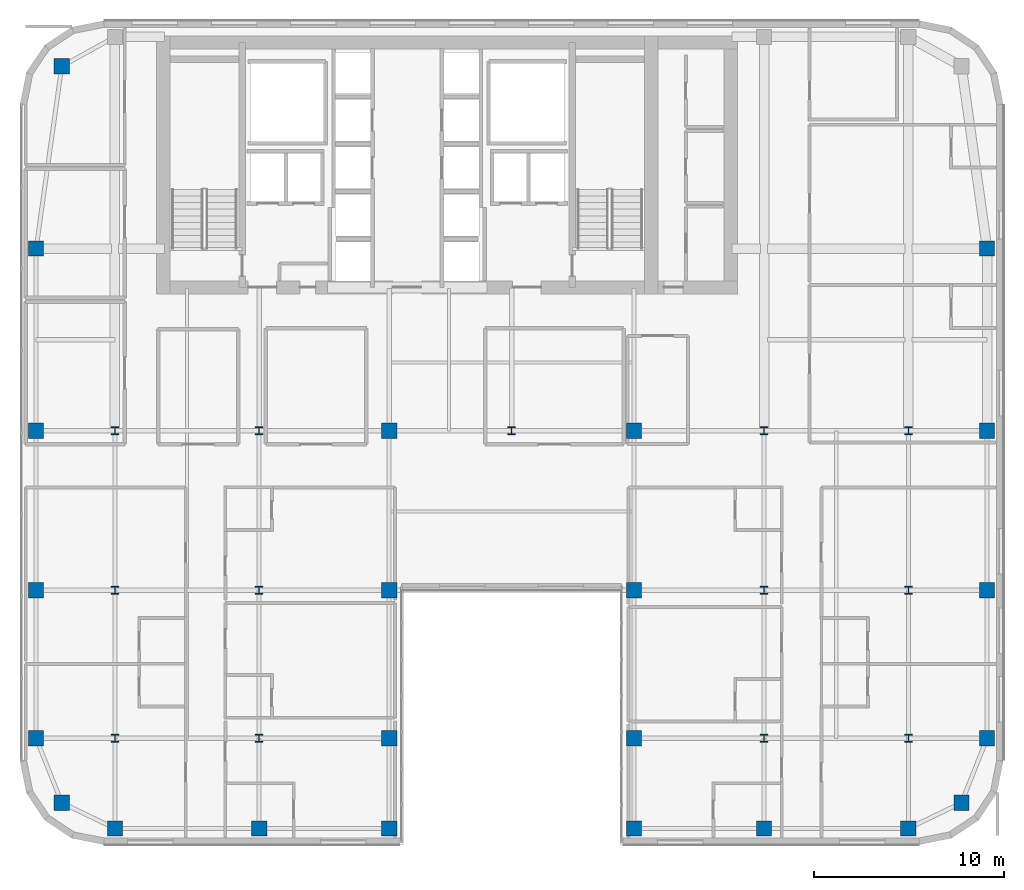
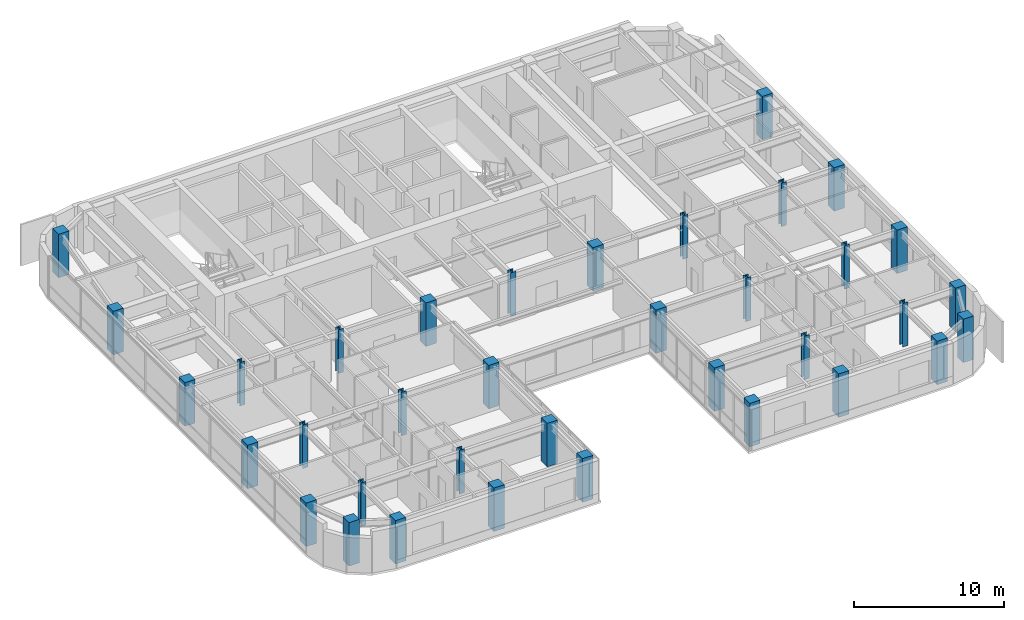
# One storey, part 1 of 28: 36 columns.
"""IFC4 building model written with IfcOpenShell, lengths in metres."""

from ifc_helpers import new_model, si_unit, direction, frame, origin, origin_2d, place, context, subcontext, project, spatial, rectangle, i_section, extrude, source, transform, mapped, material, material_profile, profile_set, type_object, type_shapes, element, save


model = new_model("IFC4")

# Units and contexts
model_context = context("Model", 3, precision=1e-05, world=origin(), true_north=direction((0.0, 1.0)))
body_context = subcontext(model_context, "Body", "Model", "MODEL_VIEW")
ifc_project = project(units=[si_unit("LENGTHUNIT", "METRE"), si_unit("AREAUNIT", "SQUARE_METRE"), si_unit("VOLUMEUNIT", "CUBIC_METRE"), si_unit("PLANEANGLEUNIT", "RADIAN"), si_unit("MASSUNIT", "GRAM", prefix="KILO")], contexts=[model_context])

# Site, building, storey
site_placement = place(None, origin())
site = spatial("IfcSite", under=ifc_project, at=site_placement, CompositionType="ELEMENT")
building_placement = place(site_placement, origin())
building = spatial("IfcBuilding", under=site, at=building_placement, Name="Tolvann Quenvar Hotel", CompositionType="ELEMENT")
storey_placement = place(building_placement, frame((0.0, 0.0, 198.199951171875)))
storey = spatial("IfcBuildingStorey", under=building, at=storey_placement, Name="L52", CompositionType="ELEMENT", Elevation=198.199951171875)

# Columns
ifc_material_1 = material(Name="Concrete N50 (50 MPa)", Category="concrete")
ifc_material_profile_1 = material_profile(ifc_material_1, rectangle(XDim=0.800048828125, YDim=0.800048828125, at=origin_2d()), Name="RC800x800")
ifc_profile_set_1 = profile_set([ifc_material_profile_1], Name="Concrete N50 (50 MPa)")
column_type_1 = type_object("IfcColumnType", Name="COL_RC800", PredefinedType="COLUMN", material=ifc_profile_set_1)
shared_shape_1 = source(origin(), body_context, "Body", "SweptSolid", [
    extrude(rectangle(XDim=0.800048828125, YDim=0.800048828125, at=origin_2d()), origin(), (0.0, 0.0, 1.0), 3.550048828125),
])
type_shapes(column_type_1, [shared_shape_1])
for number, where, z_axis, x_axis, name in (
    (1, (4.800048828125, 4.800048828125, 0.0), (0.0, 0.0, 1.0), (1.0, 0.0, 0.0), "Column B2 (L52)"),
    (2, (3.449951171875, 8.199951171875, 0.0), (0.0, 0.0, 1.0), (1.0, 0.0, 0.0), "Column B3 (L52)"),
    (3, (3.449951171875, 16.0, 0.0), (0.0, 0.0, 1.0), (1.0, 0.0, 0.0), "Column B4 (L52)"),
    (4, (3.449951171875, 24.39990234375, 0.0), (0.0, 0.0, 1.0), (1.0, 0.0, 0.0), "Column B5 (L52)"),
    (5, (7.60009765625, 3.449951171875, 0.0), (0.0, 0.0, 1.0), (1.0, 0.0, 0.0), "Column C2 (L52)"),
    (6, (15.199951171875, 3.449951171875, 0.0), (0.0, 0.0, 1.0), (1.0, 0.0, 0.0), "Column D2 (L52)"),
    (7, (22.050048828125, 3.449951171875, 0.0), (0.0, 0.0, 1.0), (1.0, 0.0, 0.0), "Column E2 (L52)"),
    (8, (22.050048828125, 8.199951171875, 0.0), (0.0, 0.0, 1.0), (1.0, 0.0, 0.0), "Column E3 (L52)"),
    (9, (22.050048828125, 16.0, 0.0), (0.0, 0.0, 1.0), (1.0, 0.0, 0.0), "Column E4 (L52)"),
    (10, (22.050048828125, 24.39990234375, 0.0), (0.0, 0.0, 1.0), (1.0, 0.0, 0.0), "Column E5 (L52)"),
    (11, (34.949951171875, 3.449951171875, 0.0), (0.0, 0.0, 1.0), (1.0, 0.0, 0.0), "Column F2 (L52)"),
    (12, (34.949951171875, 8.199951171875, 0.0), (0.0, 0.0, 1.0), (1.0, 0.0, 0.0), "Column F3 (L52)"),
    (13, (34.949951171875, 16.0, 0.0), (0.0, 0.0, 1.0), (1.0, 0.0, 0.0), "Column F4 (L52)"),
    (14, (34.949951171875, 24.39990234375, 0.0), (0.0, 0.0, 1.0), (1.0, 0.0, 0.0), "Column F5 (L52)"),
    (15, (41.800048828125, 3.449951171875, 0.0), (0.0, 0.0, 1.0), (1.0, 0.0, 0.0), "Column H2 (L52)"),
    (16, (49.39990234375, 3.449951171875, 0.0), (0.0, 0.0, 1.0), (1.0, 0.0, 0.0), "Column I2 (L52)"),
    (17, (52.199951171875, 4.800048828125, 0.0), (0.0, 0.0, 1.0), (1.0, 0.0, 0.0), "Column J2 (L52)"),
    (18, (53.550048828125, 8.199951171875, 0.0), (0.0, 0.0, 1.0), (1.0, 0.0, 0.0), "Column J3 (L52)"),
    (19, (53.550048828125, 16.0, 0.0), (0.0, 0.0, 1.0), (1.0, 0.0, 0.0), "Column J4 (L52)"),
    (20, (53.550048828125, 24.39990234375, 0.0), (0.0, 0.0, 1.0), (1.0, 0.0, 0.0), "Column J5 (L52)"),
    (21, (4.800048828125, 43.60009765625, 0.0), (0.0, 0.0, 1.0), (1.0, 0.0, 0.0), "Column BN (L52)"),
    (22, (3.449951171875, 34.0, 0.0), (0.0, 0.0, 1.0), (1.0, 0.0, 0.0), "Column BD6 (L52)"),
    (23, (53.550048828125, 34.0, 0.0), (0.0, 0.0, 1.0), (1.0, 0.0, 0.0), "Column JD6 (L52)"),
):
    element("IfcColumn", number, at=place(storey_placement, frame(where, z_axis=z_axis, x_axis=x_axis)), inside=storey, type_object=column_type_1, Name=name, PredefinedType="COLUMN", context=body_context, shape_type="MappedRepresentation", body=[
        mapped(shared_shape_1, transform((0.0, 0.0, 0.0), x_axis=(1.0, 0.0, 0.0), y_axis=(0.0, 1.0, 0.0), z_axis=(0.0, 0.0, 1.0), scale=1.0)),
    ])
ifc_material_2 = material(Name="Steel Grade 350", Category="steel")
ifc_material_profile_2 = material_profile(ifc_material_2, i_section(OverallWidth=0.39990234375, OverallDepth=0.39990234375, WebThickness=0.02001953125, FlangeThickness=0.034912109375, at=origin_2d()), Name="400WC270")
ifc_profile_set_2 = profile_set([ifc_material_profile_2], Name="Steel Grade 350")
column_type_2 = type_object("IfcColumnType", Name="COL_400WC270", PredefinedType="COLUMN", material=ifc_profile_set_2)
shared_shape_2 = source(origin(), body_context, "Body", "SweptSolid", [
    extrude(i_section(OverallWidth=0.39990234375, OverallDepth=0.39990234375, WebThickness=0.02001953125, FlangeThickness=0.034912109375, at=origin_2d()), origin(), (0.0, 0.0, 1.0), 3.550048828125),
])
type_shapes(column_type_2, [shared_shape_2])
for number, where, z_axis, x_axis, name in (
    (24, (7.60009765625, 8.199951171875, 0.0), (0.0, 0.0, 1.0), (1.0, 0.0, 0.0), "Column C3 (L52)"),
    (25, (7.60009765625, 16.0, 0.0), (0.0, 0.0, 1.0), (1.0, 0.0, 0.0), "Column C4 (L52)"),
    (26, (7.60009765625, 24.39990234375, 0.0), (0.0, 0.0, 1.0), (1.0, 0.0, 0.0), "Column C5 (L52)"),
    (27, (15.199951171875, 8.199951171875, 0.0), (0.0, 0.0, 1.0), (1.0, 0.0, 0.0), "Column D3 (L52)"),
    (28, (15.199951171875, 16.0, 0.0), (0.0, 0.0, 1.0), (1.0, 0.0, 0.0), "Column D4 (L52)"),
    (29, (15.199951171875, 24.39990234375, 0.0), (0.0, 0.0, 1.0), (1.0, 0.0, 0.0), "Column D5 (L52)"),
    (30, (41.800048828125, 8.199951171875, 0.0), (0.0, 0.0, 1.0), (1.0, 0.0, 0.0), "Column H3 (L52)"),
    (31, (41.800048828125, 16.0, 0.0), (0.0, 0.0, 1.0), (1.0, 0.0, 0.0), "Column H4 (L52)"),
    (32, (41.800048828125, 24.39990234375, 0.0), (0.0, 0.0, 1.0), (1.0, 0.0, 0.0), "Column H5 (L52)"),
    (33, (49.39990234375, 8.199951171875, 0.0), (0.0, 0.0, 1.0), (1.0, 0.0, 0.0), "Column I3 (L52)"),
    (34, (49.39990234375, 16.0, 0.0), (0.0, 0.0, 1.0), (1.0, 0.0, 0.0), "Column I4 (L52)"),
    (35, (49.39990234375, 24.39990234375, 0.0), (0.0, 0.0, 1.0), (1.0, 0.0, 0.0), "Column I5 (L52)"),
    (36, (28.5, 24.39990234375, 0.0), (0.0, 0.0, 1.0), (1.0, 0.0, 0.0), "Column M5 (L52)"),
):
    element("IfcColumn", number, at=place(storey_placement, frame(where, z_axis=z_axis, x_axis=x_axis)), inside=storey, type_object=column_type_2, Name=name, PredefinedType="COLUMN", context=body_context, shape_type="MappedRepresentation", body=[
        mapped(shared_shape_2, transform((0.0, 0.0, 0.0), x_axis=(1.0, 0.0, 0.0), y_axis=(0.0, 1.0, 0.0), z_axis=(0.0, 0.0, 1.0), scale=1.0)),
    ])

save(model, "model.ifc")
